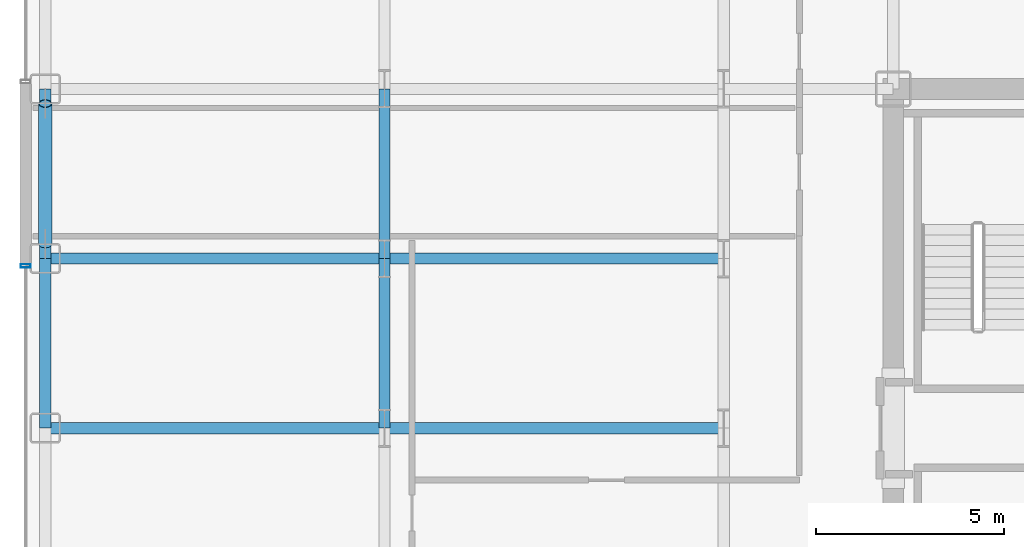
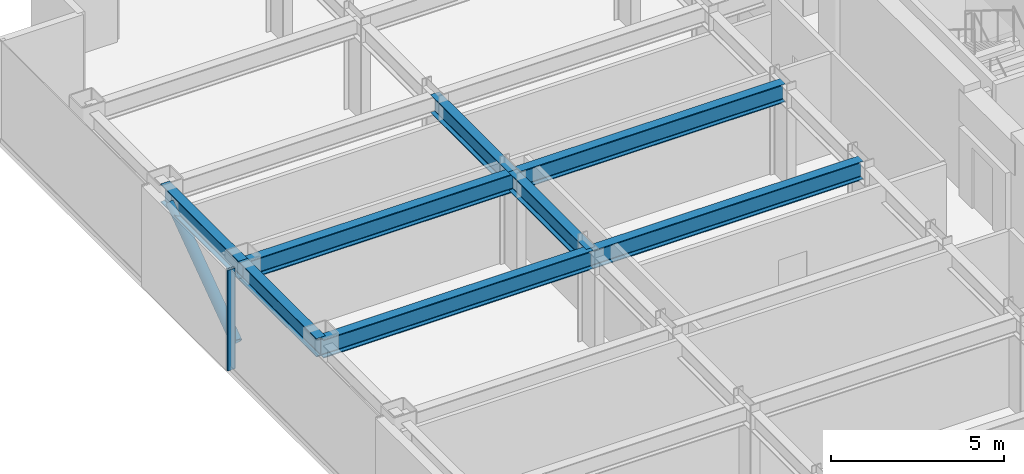
# One storey, part 6 of 29: 8 beams, 2 members, 1 element without a shape of its own.
"""IFC4 building model written with IfcOpenShell, lengths in metres."""

from ifc_helpers import new_model, si_unit, direction, frame, origin, origin_2d, place, context, subcontext, project, spatial, hollow_rectangle, hollow_circle, i_section, extrude, source, transform, mapped, material, layer, layer_set, material_profile, profile_set, type_object, element, aggregate, save


model = new_model("IFC4")

# Units and contexts
model_context = context("Model", 3, precision=1e-05, world=origin(), true_north=direction((0.0, 1.0)))
body_context = subcontext(model_context, "Body", "Model", "MODEL_VIEW")
ifc_project = project(units=[si_unit("LENGTHUNIT", "METRE"), si_unit("AREAUNIT", "SQUARE_METRE"), si_unit("VOLUMEUNIT", "CUBIC_METRE"), si_unit("PLANEANGLEUNIT", "RADIAN"), si_unit("MASSUNIT", "GRAM", prefix="KILO")], contexts=[model_context])

# Site, building, storey
site_placement = place(None, origin())
site = spatial("IfcSite", under=ifc_project, at=site_placement, CompositionType="ELEMENT")
building_placement = place(site_placement, origin())
building = spatial("IfcBuilding", under=site, at=building_placement, Name="Nefas-Gora Pilgrimage Tower", CompositionType="ELEMENT")
storey_placement = place(building_placement, frame((0.0, 0.0, 113.60009765625)))
storey = spatial("IfcBuildingStorey", under=building, at=storey_placement, Name="L27", CompositionType="ELEMENT", Elevation=113.60009765625)

# Beams
ifc_material_1 = material(Name="Steel S355", Category="steel")
ifc_material_profile_1 = material_profile(ifc_material_1, i_section(OverallWidth=0.300048828125, OverallDepth=0.64990234375, WebThickness=0.01611328125, FlangeThickness=0.031005859375, FilletRadius=0.027099609375, at=origin_2d()), Name="HEB 650")
ifc_profile_set_1 = profile_set([ifc_material_profile_1], Name="Steel S355")
beam_type_1 = type_object("IfcBeamType", Name="BM-SPN-HEB500", PredefinedType="SPANDREL", material=ifc_profile_set_1)
shared_shape_1 = source(origin(), body_context, "Body", "SweptSolid", [
    extrude(i_section(OverallWidth=0.300048828125, OverallDepth=0.64990234375, WebThickness=0.01611328125, FlangeThickness=0.031005859375, FilletRadius=0.027099609375, at=origin_2d()), origin(), (0.0, 0.0, 1.0), 4.5),
])
for number, where, z_axis, x_axis, name in (
    (1, (-33.75, 0.0, 3.224853515625), (0.0, 1.0, 0.0), (-1.0, 0.0, 0.0), "L27 SP-02 beam"),
    (2, (-33.75, 4.5, 3.224853515625), (0.0, 1.0, 0.0), (-1.0, 0.0, 0.0), "L27 SP-02 beam"),
):
    element("IfcBeam", number, at=place(storey_placement, frame(where, z_axis=z_axis, x_axis=x_axis)), inside=storey, type_object=beam_type_1, Name=name, PredefinedType="SPANDREL", context=body_context, shape_type="MappedRepresentation", body=[
        mapped(shared_shape_1, transform((0.0, 0.0, 0.0), x_axis=(1.0, 0.0, 0.0), y_axis=(0.0, 1.0, 0.0), z_axis=(0.0, 0.0, 1.0), scale=1.0)),
    ])
ifc_material_profile_2 = material_profile(ifc_material_1, i_section(OverallWidth=0.300048828125, OverallDepth=0.64990234375, WebThickness=0.01611328125, FlangeThickness=0.031005859375, FilletRadius=0.027099609375, at=origin_2d()), Name="HEB 650")
ifc_profile_set_2 = profile_set([ifc_material_profile_2], Name="Steel S355")
beam_type_2 = type_object("IfcBeamType", Name="BM-GIR-HEB650", PredefinedType="BEAM", material=ifc_profile_set_2)
shared_shape_2 = source(origin(), body_context, "Body", "SweptSolid", [
    extrude(i_section(OverallWidth=0.300048828125, OverallDepth=0.64990234375, WebThickness=0.01611328125, FlangeThickness=0.031005859375, FilletRadius=0.027099609375, at=origin_2d()), origin(), (0.0, 0.0, 1.0), 9.0),
])
for number, where, z_axis, x_axis, name in (
    (3, (-33.75, 0.0, 3.224853515625), (1.0, 0.0, 0.0), (0.0, 1.0, 0.0), "L27 G-03 beam"),
    (4, (-33.75, 4.5, 3.224853515625), (1.0, 0.0, 0.0), (0.0, 1.0, 0.0), "L27 G-03 beam"),
    (5, (-24.75, 0.0, 3.224853515625), (1.0, 0.0, 0.0), (0.0, 1.0, 0.0), "L27 G-03 beam"),
    (6, (-24.75, 4.5, 3.224853515625), (1.0, 0.0, 0.0), (0.0, 1.0, 0.0), "L27 G-03 beam"),
):
    element("IfcBeam", number, at=place(storey_placement, frame(where, z_axis=z_axis, x_axis=x_axis)), inside=storey, type_object=beam_type_2, Name=name, PredefinedType="BEAM", context=body_context, shape_type="MappedRepresentation", body=[
        mapped(shared_shape_2, transform((0.0, 0.0, 0.0), x_axis=(1.0, 0.0, 0.0), y_axis=(0.0, 1.0, 0.0), z_axis=(0.0, 0.0, 1.0), scale=1.0)),
    ])
shared_shape_3 = source(origin(), body_context, "Body", "SweptSolid", [
    extrude(i_section(OverallWidth=0.300048828125, OverallDepth=0.64990234375, WebThickness=0.01611328125, FlangeThickness=0.031005859375, FilletRadius=0.027099609375, at=origin_2d()), origin(), (0.0, 0.0, 1.0), 4.5),
])
for number, where, z_axis, x_axis, name in (
    (7, (-24.75, 0.0, 3.224853515625), (0.0, 1.0, 0.0), (-1.0, 0.0, 0.0), "L27 G-03 beam"),
    (8, (-24.75, 4.5, 3.224853515625), (0.0, 1.0, 0.0), (-1.0, 0.0, 0.0), "L27 G-03 beam"),
):
    element("IfcBeam", number, at=place(storey_placement, frame(where, z_axis=z_axis, x_axis=x_axis)), inside=storey, type_object=beam_type_2, Name=name, PredefinedType="BEAM", context=body_context, shape_type="MappedRepresentation", body=[
        mapped(shared_shape_3, transform((0.0, 0.0, 0.0), x_axis=(1.0, 0.0, 0.0), y_axis=(0.0, 1.0, 0.0), z_axis=(0.0, 0.0, 1.0), scale=1.0)),
    ])

# Member
ifc_material_2 = material(Name="Steel S460", Category="steel")
ifc_material_profile_3 = material_profile(ifc_material_2, hollow_circle(Radius=0.177734375, WallThickness=0.02001953125, at=origin_2d()), Name="CHS 355.6x20")
ifc_profile_set_3 = profile_set([ifc_material_profile_3], Name="Steel S460")
member_type_1 = type_object("IfcMemberType", Name="MEM-TUBE-356", PredefinedType="BRACE", material=ifc_profile_set_3)
shared_shape_4 = source(origin(), body_context, "Body", "SweptSolid", [
    extrude(hollow_circle(Radius=0.177734375, WallThickness=0.02001953125, at=origin_2d()), origin(), (0.0, 0.0, 1.0), 4.579345703125),
])
member_1_placement = place(storey_placement, frame((-33.75, 4.887939453125, 0.427490234375), z_axis=(0.0, 0.813246879171, 0.581918820385), x_axis=(-1.0, 0.0, 0.0)))
element("IfcMember", 9, at=member_1_placement, inside=storey, type_object=member_type_1, Name="L27 Perimeter Tube Diagonal Brace W2", PredefinedType="BRACE", context=body_context, shape_type="MappedRepresentation", body=[
    mapped(shared_shape_4, transform((0.0, 0.0, 0.0), x_axis=(1.0, 0.0, 0.0), y_axis=(0.0, 1.0, 0.0), z_axis=(0.0, 0.0, 1.0), scale=1.0)),
])

# Curtain wall, member
ifc_material_3 = material(Name="Dark ceramic-fritted solar-control aluminium-glass curtain wall", Category="aluminium")
ifc_layer = layer(ifc_material_3, 0.219970703125)
ifc_layer_set = layer_set([ifc_layer], Name="Dark ceramic-fritted solar-control aluminium-glass curtain wall")
curtain_wall_type = type_object("IfcCurtainWallType", Name="CW-SYS-2", PredefinedType="NOTDEFINED", material=ifc_layer_set)
curtain_wall_placement = place(storey_placement, origin())
curtain_wall = element("IfcCurtainWall", 10, at=curtain_wall_placement, inside=storey, type_object=curtain_wall_type, Name="L27 Unitised Curtain Wall CW2", PredefinedType="NOTDEFINED")
ifc_material_4 = material(Name="Anodised architectural aluminium", Category="aluminium")
ifc_material_profile_4 = material_profile(ifc_material_4, hollow_rectangle(XDim=0.090087890625, YDim=0.260009765625, WallThickness=0.006103515625, InnerFilletRadius=0.006103515625, OuterFilletRadius=0.011962890625, at=origin_2d()), Name="ALU MULLION 90x260")
ifc_profile_set_4 = profile_set([ifc_material_profile_4], Name="Anodised architectural aluminium")
member_type_2 = type_object("IfcMemberType", Name="CWM-MUL-2", PredefinedType="MULLION", material=ifc_profile_set_4)
shared_shape_5 = source(origin(), body_context, "Body", "SweptSolid", [
    extrude(hollow_rectangle(XDim=0.090087890625, YDim=0.260009765625, WallThickness=0.006103515625, InnerFilletRadius=0.006103515625, OuterFilletRadius=0.011962890625, at=origin_2d()), origin(), (0.0, 0.0, 1.0), 3.5498046875),
])
member_2_placement = place(storey_placement, frame((-34.27001953125, 4.304931640625, 0.0), z_axis=(0.0, 0.0, 1.0), x_axis=(0.0, -1.0, 0.0)))
member_2 = element("IfcMember", 11, at=member_2_placement, type_object=member_type_2, Name="CW2 Mullion 1", PredefinedType="MULLION", context=body_context, shape_type="MappedRepresentation", body=[
    mapped(shared_shape_5, transform((0.0, 0.0, 0.0), x_axis=(1.0, 0.0, 0.0), y_axis=(0.0, 1.0, 0.0), z_axis=(0.0, 0.0, 1.0), scale=1.0)),
])
aggregate(curtain_wall, [member_2])

save(model, "model.ifc")
